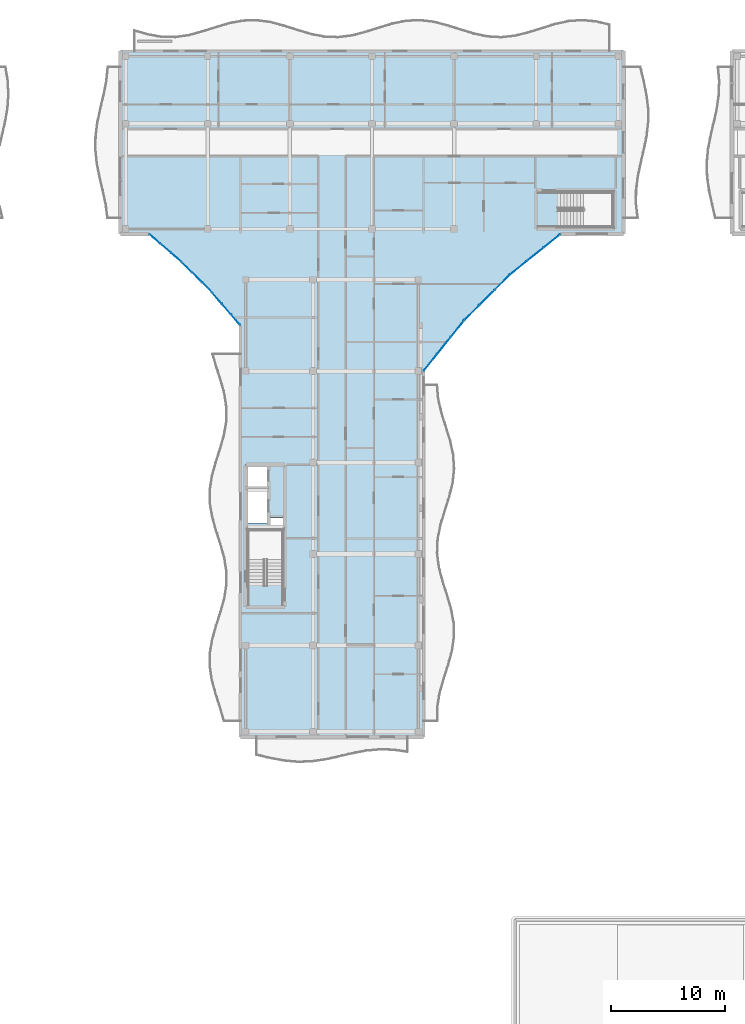
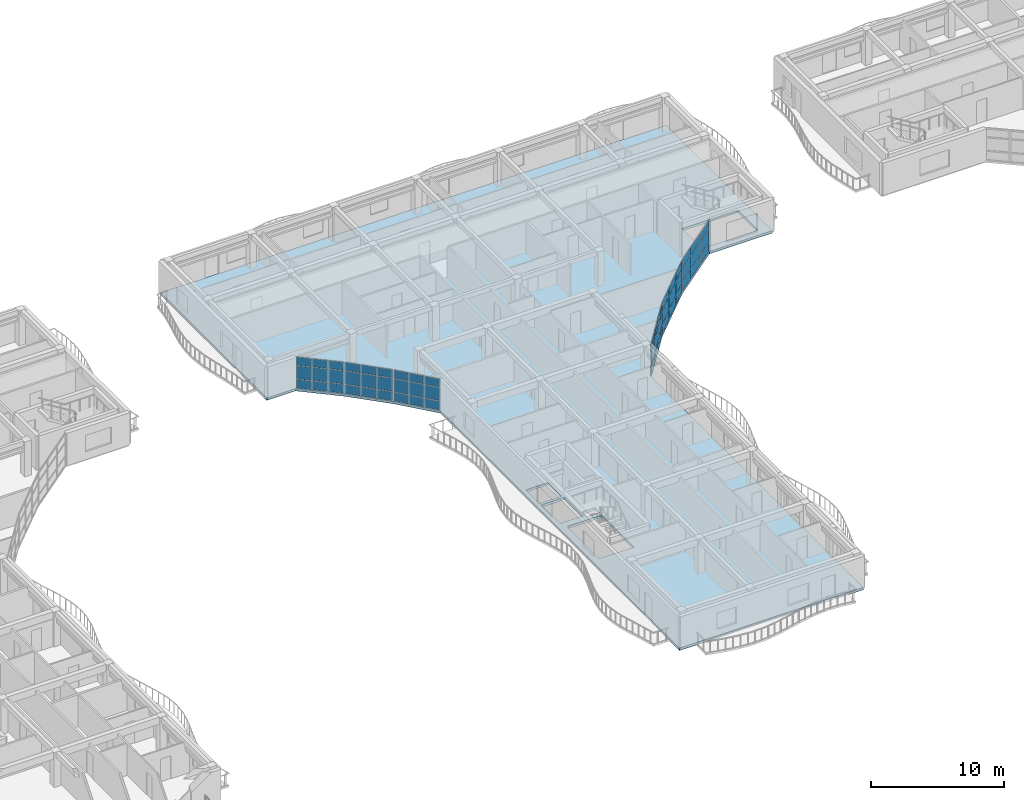
# One storey, part 33 of 79: 54 plates, 1 slab, 6 elements without a shape of their own.
"""IFC4 building model written with IfcOpenShell, lengths in metres."""

import ifcopenshell
import ifcopenshell.guid

model = None  # the IFC model being written
_history = None  # IfcOwnerHistory: only IFC2X3 demands one
_inside = {}  # id of a spatial element -> (the spatial element, [elements in it])
_under = {}  # id of a project, library or spatial element -> (it, [spatial elements below it])
_declared = {}  # id of a project -> (the project, [libraries it declares])
_typed = {}  # id of a type object -> (the type object, [elements of that type])
_made_of = {}  # id of a material, layer set ... -> (it, [elements and type objects made of it])


def new_model(schema):
    """Start an empty IFC model of exactly this schema.

    Asked for "IFC4X3", IfcOpenShell would pick the latest addendum, in which some entities
    have other attributes; the version numbers below select the first issue.
    IFC2X3 requires an IfcOwnerHistory on every rooted entity: one is made here for all.
    """
    global model, _history
    if schema == "IFC4X3":
        model = ifcopenshell.file(schema_version=(4, 3, 0, 0))
    else:
        model = ifcopenshell.file(schema=schema)
    _inside.clear()
    _under.clear()
    _declared.clear()
    _typed.clear()
    _made_of.clear()
    _history = None
    if model.schema == "IFC2X3":
        org = make("IfcOrganization", Name="unknown")
        user = make(
            "IfcPersonAndOrganization",
            ThePerson=make("IfcPerson", FamilyName="unknown"),
            TheOrganization=org,
        )
        app = make(
            "IfcApplication",
            ApplicationDeveloper=org,
            Version="unknown",
            ApplicationFullName="unknown",
            ApplicationIdentifier="unknown",
        )
        _history = make(
            "IfcOwnerHistory",
            OwningUser=user,
            OwningApplication=app,
            ChangeAction="ADDED",
            CreationDate=0,
        )
    return model


def make(cls, **values):
    """One entity of the class cls with the attributes given. An attribute that is None is left unset."""
    return model.create_entity(
        cls, **{name: value for name, value in values.items() if value is not None}
    )


def rooted(cls, **values):
    """An entity with a GlobalId (a new one), such as an element, a storey or a relation."""
    return make(cls, GlobalId=ifcopenshell.guid.new(), OwnerHistory=_history, **values)


def si_unit(unit_type, name, prefix=None):
    """IfcSIUnit, for example si_unit("LENGTHUNIT", "METRE", prefix="MILLI")."""
    return make("IfcSIUnit", UnitType=unit_type, Prefix=prefix, Name=name)


def assignment(units):
    """IfcUnitAssignment: the units of a project."""
    return None if units is None else make("IfcUnitAssignment", Units=units)


def point(xyz):
    """IfcCartesianPoint."""
    return None if xyz is None else make("IfcCartesianPoint", Coordinates=xyz)


def direction(xyz):
    """IfcDirection."""
    return None if xyz is None else make("IfcDirection", DirectionRatios=xyz)


def frame(location, z_axis=None, x_axis=None):
    """IfcAxis2Placement3D, a coordinate frame: its origin and axes. An axis left out is left unset."""
    return make(
        "IfcAxis2Placement3D",
        Location=point(location),
        Axis=direction(z_axis),
        RefDirection=direction(x_axis),
    )


def frame_2d(location, x_axis=None):
    """IfcAxis2Placement2D, a coordinate frame in the plane: its origin and x axis."""
    return make(
        "IfcAxis2Placement2D", Location=point(location), RefDirection=direction(x_axis)
    )


def origin():
    """The frame at (0, 0, 0) with its axes left unset."""
    return frame((0.0, 0.0, 0.0))


def origin_2d():
    """The frame at (0, 0) in the plane with its x axis left unset."""
    return frame_2d((0.0, 0.0))


def place(relative_to, where):
    """IfcLocalPlacement: puts the frame where relative to a parent placement (None: the world)."""
    return make(
        "IfcLocalPlacement", PlacementRelTo=relative_to, RelativePlacement=where
    )


def context(
    kind, dimensions, precision=None, world=None, true_north=None, identifier=None
):
    """IfcGeometricRepresentationContext, for example the 3D "Model" context."""
    return make(
        "IfcGeometricRepresentationContext",
        ContextIdentifier=identifier,
        ContextType=kind,
        CoordinateSpaceDimension=dimensions,
        Precision=precision,
        WorldCoordinateSystem=world,
        TrueNorth=true_north,
    )


def subcontext(parent, identifier, kind, view, scale=None):
    """IfcGeometricRepresentationSubContext, for example "Body" below "Model"."""
    return make(
        "IfcGeometricRepresentationSubContext",
        ContextIdentifier=identifier,
        ContextType=kind,
        ParentContext=parent,
        TargetScale=scale,
        TargetView=view,
    )


def project(units=None, contexts=None):
    """IfcProject with its units and contexts."""
    return rooted(
        "IfcProject",
        Name="project",
        RepresentationContexts=contexts,
        UnitsInContext=assignment(units),
    )


def spatial(cls, under=None, at=None, **own):
    """A site, building, storey or space (cls), placed at a placement, below another one or the project."""
    s = rooted(cls, ObjectPlacement=at, **own)
    if under is not None:
        _under.setdefault(under.id(), (under, []))[1].append(s)
    return s


def polyline(points):
    """IfcPolyline through the points."""
    return make("IfcPolyline", Points=[point(p) for p in points])


def profile(cls, at=None, kind="AREA", **sizes):
    """A parametric profile (cls). Its sizes go by their IFC names, for example OverallWidth=200.0."""
    return make(cls, ProfileType=kind, Position=at, **sizes)


def rectangle(**sizes):
    """IfcRectangleProfileDef."""
    return profile("IfcRectangleProfileDef", **sizes)


def outline(outer, holes=None, kind="AREA"):
    """IfcArbitraryClosedProfileDef: a profile drawn as a closed curve; with holes, ...WithVoids."""
    if holes is None:
        return make("IfcArbitraryClosedProfileDef", ProfileType=kind, OuterCurve=outer)
    return make(
        "IfcArbitraryProfileDefWithVoids",
        ProfileType=kind,
        OuterCurve=outer,
        InnerCurves=holes,
    )


def extrude(swept, where, along, depth):
    """IfcExtrudedAreaSolid: the profile swept, set in the frame where, extruded along a direction by depth."""
    return make(
        "IfcExtrudedAreaSolid",
        SweptArea=swept,
        Position=where,
        ExtrudedDirection=direction(along),
        Depth=depth,
    )


def shape(context_of_items, identifier, shape_type, items):
    """IfcShapeRepresentation: the items that make up one representation, for example the "Body"."""
    return make(
        "IfcShapeRepresentation",
        ContextOfItems=context_of_items,
        RepresentationIdentifier=identifier,
        RepresentationType=shape_type,
        Items=items,
    )


def material(Name=None, Category=None):
    """IfcMaterial."""
    return make("IfcMaterial", Name=Name, Category=Category)


def layer(
    of_material, thickness, ventilated=None, Name=None, Category=None, Priority=None
):
    """IfcMaterialLayer: one layer of a wall or slab, of a material (None: an air gap)."""
    return make(
        "IfcMaterialLayer",
        Material=of_material,
        LayerThickness=thickness,
        IsVentilated=ventilated,
        Name=Name,
        Category=Category,
        Priority=Priority,
    )


def layer_set(layers, Name=None):
    """IfcMaterialLayerSet."""
    return make("IfcMaterialLayerSet", MaterialLayers=layers, LayerSetName=Name)


def made_of(thing, what):
    """Note that an element or type object is made of a material, layer set ...; save() writes the relation."""
    if what is not None:
        _made_of.setdefault(what.id(), (what, []))[1].append(thing)
    return thing


def type_object(cls, material=None, **own):
    """A type object (cls), such as IfcWallType, which elements share."""
    return made_of(rooted(cls, **own), material)


def element(
    cls,
    number,
    at=None,
    inside=None,
    cuts=None,
    type_object=None,
    material=None,
    context=None,
    identifier="Body",
    shape_type=None,
    held_by="IfcProductDefinitionShape",
    body=None,
    shapes=None,
    **own,
):
    """One element of the class cls, such as IfcWall. Its Tag is "e" and its number.

    at: its placement. inside: the storey or other place that contains it. cuts: it is an
    opening in that element (IfcRelVoidsElement). A single representation is given by context,
    identifier, shape_type and body (its items); several are given by shapes. held_by: the class
    of the entity that holds the representations. save() writes the other relations.
    """
    e = rooted(cls, Tag="e%d" % number, ObjectPlacement=at, **own)
    if body is not None:
        shapes = [shape(context, identifier, shape_type, body)]
    if shapes is not None:
        e.Representation = make(held_by, Representations=shapes)
    if inside is not None:
        _inside.setdefault(inside.id(), (inside, []))[1].append(e)
    if cuts is not None:
        rooted(
            "IfcRelVoidsElement", RelatingBuildingElement=cuts, RelatedOpeningElement=e
        )
    if type_object is not None:
        _typed.setdefault(type_object.id(), (type_object, []))[1].append(e)
    return made_of(e, material)


def aggregate(whole, parts):
    """IfcRelAggregates: a whole, such as a stair, and the parts it consists of."""
    return rooted("IfcRelAggregates", RelatingObject=whole, RelatedObjects=parts)


def save(model, path):
    """Write the relations noted so far, then the file.

    IfcRelAggregates (storeys below a building ...), IfcRelContainedInSpatialStructure (elements
    in a storey), IfcRelDefinesByType, IfcRelAssociatesMaterial and IfcRelDeclares: one each for
    every whole, place, type object, material and project.
    """
    for whole, parts in _under.values():
        aggregate(whole, parts)
    for where, things in _inside.values():
        rooted(
            "IfcRelContainedInSpatialStructure",
            RelatedElements=things,
            RelatingStructure=where,
        )
    for kind, things in _typed.values():
        rooted("IfcRelDefinesByType", RelatedObjects=things, RelatingType=kind)
    for what, things in _made_of.values():
        rooted("IfcRelAssociatesMaterial", RelatedObjects=things, RelatingMaterial=what)
    for by, libraries in _declared.values():
        rooted("IfcRelDeclares", RelatingContext=by, RelatedDefinitions=libraries)
    model.write(path)


model = new_model("IFC4")

# Units and contexts
model_context = context("Model", 3, precision=1e-05, world=origin(), true_north=direction((0.0, 1.0)))
body_context = subcontext(model_context, "Body", "Model", "MODEL_VIEW")
ifc_project = project(units=[si_unit("LENGTHUNIT", "METRE"), si_unit("AREAUNIT", "SQUARE_METRE"), si_unit("VOLUMEUNIT", "CUBIC_METRE"), si_unit("PLANEANGLEUNIT", "RADIAN"), si_unit("MASSUNIT", "GRAM", prefix="KILO")], contexts=[model_context])

# Site, building, storey
site_placement = place(None, origin())
site = spatial("IfcSite", under=ifc_project, at=site_placement, CompositionType="ELEMENT")
building_placement = place(site_placement, origin())
building = spatial("IfcBuilding", under=site, at=building_placement, Name="Keldmere Railside Commons", CompositionType="ELEMENT")
storey_placement = place(building_placement, frame((0.0, 0.0, 10.56005859375)))
storey = spatial("IfcBuildingStorey", under=building, at=storey_placement, Name="L03", CompositionType="ELEMENT", Elevation=10.56005859375)

# Curtain wall, plates
ifc_material_1 = material(Name="Thermally Broken Aluminium", Category="aluminium")
ifc_layer_1 = layer(ifc_material_1, 0.159912109375, Name="Court Chord Wintergarden CW 4800x2850")
ifc_layer_set_1 = layer_set([ifc_layer_1], Name="Thermally Broken Aluminium")
curtain_wall_type_1 = type_object("IfcCurtainWallType", Name="Court Chord Wintergarden CW 4800x2850", PredefinedType="NOTDEFINED", material=ifc_layer_set_1)
curtain_wall_1_placement = place(storey_placement, origin())
curtain_wall_1 = element("IfcCurtainWall", 1, at=curtain_wall_1_placement, inside=storey, type_object=curtain_wall_type_1, Name="CW-12 CW-L03-103", PredefinedType="NOTDEFINED")
ifc_material_2 = material(Name="Low-E Insulated Double Glazing", Category="glass")
ifc_layer_2 = layer(ifc_material_2, 0.033935546875, Name="Acoustic Laminated Vision Panel 34")
ifc_layer_set_2 = layer_set([ifc_layer_2], Name="Low-E Insulated Double Glazing")
plate_type_1 = type_object("IfcPlateType", Name="Acoustic Laminated Vision Panel 34", PredefinedType="CURTAIN_PANEL", material=ifc_layer_set_2)
plate_1_placement = place(storey_placement, frame((122.951416015625, 91.678955078125, 0.06494140625), z_axis=(0.0, 0.0, 1.0), x_axis=(-0.625768080915, -0.780009172323, 0.0)))
plate_1 = element("IfcPlate", 2, at=plate_1_placement, type_object=plate_type_1, Name="CW-12 panel 1.1", PredefinedType="CURTAIN_PANEL", context=body_context, shape_type="SweptSolid", body=[
    extrude(rectangle(XDim=1.795654296875, YDim=0.033935546875, at=origin_2d()), origin(), (0.0, 0.0, 1.0), 0.802490234375),
])
plate_2_placement = place(storey_placement, frame((122.951416015625, 91.678955078125, 0.932373046875), z_axis=(0.0, 0.0, 1.0), x_axis=(-0.625768080915, -0.780009172323, 0.0)))
plate_2 = element("IfcPlate", 3, at=plate_2_placement, type_object=plate_type_1, Name="CW-12 panel 1.2", PredefinedType="CURTAIN_PANEL", context=body_context, shape_type="SweptSolid", body=[
    extrude(rectangle(XDim=1.795654296875, YDim=0.033935546875, at=origin_2d()), origin(), (0.0, 0.0, 1.0), 1.18505859375),
])
plate_3_placement = place(storey_placement, frame((122.951416015625, 91.678955078125, 2.182373046875), z_axis=(0.0, 0.0, 1.0), x_axis=(-0.625768080915, -0.780009172323, 0.0)))
plate_3 = element("IfcPlate", 4, at=plate_3_placement, type_object=plate_type_1, Name="CW-12 panel 1.3", PredefinedType="CURTAIN_PANEL", context=body_context, shape_type="SweptSolid", body=[
    extrude(rectangle(XDim=1.795654296875, YDim=0.033935546875, at=origin_2d()), origin(), (0.0, 0.0, 1.0), 0.732421875),
])
plate_4_placement = place(storey_placement, frame((121.777099609375, 90.215087890625, 0.06494140625), z_axis=(0.0, 0.0, 1.0), x_axis=(-0.625768080915, -0.780009172323, 0.0)))
plate_4 = element("IfcPlate", 5, at=plate_4_placement, type_object=plate_type_1, Name="CW-12 panel 2.1", PredefinedType="CURTAIN_PANEL", context=body_context, shape_type="SweptSolid", body=[
    extrude(rectangle(XDim=1.828125, YDim=0.033935546875, at=origin_2d()), origin(), (0.0, 0.0, 1.0), 0.802490234375),
])
plate_5_placement = place(storey_placement, frame((121.777099609375, 90.215087890625, 0.932373046875), z_axis=(0.0, 0.0, 1.0), x_axis=(-0.625768080915, -0.780009172323, 0.0)))
plate_5 = element("IfcPlate", 6, at=plate_5_placement, type_object=plate_type_1, Name="CW-12 panel 2.2", PredefinedType="CURTAIN_PANEL", context=body_context, shape_type="SweptSolid", body=[
    extrude(rectangle(XDim=1.828125, YDim=0.033935546875, at=origin_2d()), origin(), (0.0, 0.0, 1.0), 1.18505859375),
])
plate_6_placement = place(storey_placement, frame((121.777099609375, 90.215087890625, 2.182373046875), z_axis=(0.0, 0.0, 1.0), x_axis=(-0.625768080915, -0.780009172323, 0.0)))
plate_6 = element("IfcPlate", 7, at=plate_6_placement, type_object=plate_type_1, Name="CW-12 panel 2.3", PredefinedType="CURTAIN_PANEL", context=body_context, shape_type="SweptSolid", body=[
    extrude(rectangle(XDim=1.828125, YDim=0.033935546875, at=origin_2d()), origin(), (0.0, 0.0, 1.0), 0.732421875),
])
plate_7_placement = place(storey_placement, frame((120.6025390625, 88.7509765625, 0.06494140625), z_axis=(0.0, 0.0, 1.0), x_axis=(-0.625768080915, -0.780009172323, 0.0)))
plate_7 = element("IfcPlate", 8, at=plate_7_placement, type_object=plate_type_1, Name="CW-12 panel 3.1", PredefinedType="CURTAIN_PANEL", context=body_context, shape_type="SweptSolid", body=[
    extrude(rectangle(XDim=1.795654296875, YDim=0.033935546875, at=origin_2d()), origin(), (0.0, 0.0, 1.0), 0.802490234375),
])
plate_8_placement = place(storey_placement, frame((120.6025390625, 88.7509765625, 0.932373046875), z_axis=(0.0, 0.0, 1.0), x_axis=(-0.625768080915, -0.780009172323, 0.0)))
plate_8 = element("IfcPlate", 9, at=plate_8_placement, type_object=plate_type_1, Name="CW-12 panel 3.2", PredefinedType="CURTAIN_PANEL", context=body_context, shape_type="SweptSolid", body=[
    extrude(rectangle(XDim=1.795654296875, YDim=0.033935546875, at=origin_2d()), origin(), (0.0, 0.0, 1.0), 1.18505859375),
])
plate_9_placement = place(storey_placement, frame((120.6025390625, 88.7509765625, 2.182373046875), z_axis=(0.0, 0.0, 1.0), x_axis=(-0.625768080915, -0.780009172323, 0.0)))
plate_9 = element("IfcPlate", 10, at=plate_9_placement, type_object=plate_type_1, Name="CW-12 panel 3.3", PredefinedType="CURTAIN_PANEL", context=body_context, shape_type="SweptSolid", body=[
    extrude(rectangle(XDim=1.795654296875, YDim=0.033935546875, at=origin_2d()), origin(), (0.0, 0.0, 1.0), 0.732421875),
])
aggregate(curtain_wall_1, [plate_1, plate_2, plate_3, plate_4, plate_5, plate_6, plate_7, plate_8, plate_9])

curtain_wall_2_placement = place(storey_placement, origin())
curtain_wall_2 = element("IfcCurtainWall", 11, at=curtain_wall_2_placement, inside=storey, type_object=curtain_wall_type_1, Name="CW-12 CW-L03-106", PredefinedType="NOTDEFINED")
plate_10_placement = place(storey_placement, frame((98.369384765625, 97.952392578125, 0.06494140625), z_axis=(0.0, 0.0, 1.0), x_axis=(-0.756596767584, 0.653881741053, 0.0)))
plate_10 = element("IfcPlate", 12, at=plate_10_placement, type_object=plate_type_1, Name="CW-12 panel 1.1", PredefinedType="CURTAIN_PANEL", context=body_context, shape_type="SweptSolid", body=[
    extrude(rectangle(XDim=1.16162109375, YDim=0.033935546875, at=origin_2d()), origin(), (0.0, 0.0, 1.0), 0.802490234375),
])
plate_11_placement = place(storey_placement, frame((98.369384765625, 97.952392578125, 0.932373046875), z_axis=(0.0, 0.0, 1.0), x_axis=(-0.756596767584, 0.653881741053, 0.0)))
plate_11 = element("IfcPlate", 13, at=plate_11_placement, type_object=plate_type_1, Name="CW-12 panel 1.2", PredefinedType="CURTAIN_PANEL", context=body_context, shape_type="SweptSolid", body=[
    extrude(rectangle(XDim=1.16162109375, YDim=0.033935546875, at=origin_2d()), origin(), (0.0, 0.0, 1.0), 1.18505859375),
])
plate_12_placement = place(storey_placement, frame((98.369384765625, 97.952392578125, 2.182373046875), z_axis=(0.0, 0.0, 1.0), x_axis=(-0.756596767584, 0.653881741053, 0.0)))
plate_12 = element("IfcPlate", 14, at=plate_12_placement, type_object=plate_type_1, Name="CW-12 panel 1.3", PredefinedType="CURTAIN_PANEL", context=body_context, shape_type="SweptSolid", body=[
    extrude(rectangle(XDim=1.16162109375, YDim=0.033935546875, at=origin_2d()), origin(), (0.0, 0.0, 1.0), 0.732421875),
])
plate_13_placement = place(storey_placement, frame((97.428955078125, 98.764892578125, 0.06494140625), z_axis=(0.0, 0.0, 1.0), x_axis=(-0.756596767584, 0.653881741053, 0.0)))
plate_13 = element("IfcPlate", 15, at=plate_13_placement, type_object=plate_type_1, Name="CW-12 panel 2.1", PredefinedType="CURTAIN_PANEL", context=body_context, shape_type="SweptSolid", body=[
    extrude(rectangle(XDim=1.194091796875, YDim=0.033935546875, at=origin_2d()), origin(), (0.0, 0.0, 1.0), 0.802490234375),
])
plate_14_placement = place(storey_placement, frame((97.428955078125, 98.764892578125, 0.932373046875), z_axis=(0.0, 0.0, 1.0), x_axis=(-0.756596767584, 0.653881741053, 0.0)))
plate_14 = element("IfcPlate", 16, at=plate_14_placement, type_object=plate_type_1, Name="CW-12 panel 2.2", PredefinedType="CURTAIN_PANEL", context=body_context, shape_type="SweptSolid", body=[
    extrude(rectangle(XDim=1.194091796875, YDim=0.033935546875, at=origin_2d()), origin(), (0.0, 0.0, 1.0), 1.18505859375),
])
plate_15_placement = place(storey_placement, frame((97.428955078125, 98.764892578125, 2.182373046875), z_axis=(0.0, 0.0, 1.0), x_axis=(-0.756596767584, 0.653881741053, 0.0)))
plate_15 = element("IfcPlate", 17, at=plate_15_placement, type_object=plate_type_1, Name="CW-12 panel 2.3", PredefinedType="CURTAIN_PANEL", context=body_context, shape_type="SweptSolid", body=[
    extrude(rectangle(XDim=1.194091796875, YDim=0.033935546875, at=origin_2d()), origin(), (0.0, 0.0, 1.0), 0.732421875),
])
plate_16_placement = place(storey_placement, frame((96.488525390625, 99.57763671875, 0.06494140625), z_axis=(0.0, 0.0, 1.0), x_axis=(-0.756596767584, 0.653881741053, 0.0)))
plate_16 = element("IfcPlate", 18, at=plate_16_placement, type_object=plate_type_1, Name="CW-12 panel 3.1", PredefinedType="CURTAIN_PANEL", context=body_context, shape_type="SweptSolid", body=[
    extrude(rectangle(XDim=1.16162109375, YDim=0.033935546875, at=origin_2d()), origin(), (0.0, 0.0, 1.0), 0.802490234375),
])
plate_17_placement = place(storey_placement, frame((96.488525390625, 99.57763671875, 0.932373046875), z_axis=(0.0, 0.0, 1.0), x_axis=(-0.756596767584, 0.653881741053, 0.0)))
plate_17 = element("IfcPlate", 19, at=plate_17_placement, type_object=plate_type_1, Name="CW-12 panel 3.2", PredefinedType="CURTAIN_PANEL", context=body_context, shape_type="SweptSolid", body=[
    extrude(rectangle(XDim=1.16162109375, YDim=0.033935546875, at=origin_2d()), origin(), (0.0, 0.0, 1.0), 1.18505859375),
])
plate_18_placement = place(storey_placement, frame((96.488525390625, 99.57763671875, 2.182373046875), z_axis=(0.0, 0.0, 1.0), x_axis=(-0.756596767584, 0.653881741053, 0.0)))
plate_18 = element("IfcPlate", 20, at=plate_18_placement, type_object=plate_type_1, Name="CW-12 panel 3.3", PredefinedType="CURTAIN_PANEL", context=body_context, shape_type="SweptSolid", body=[
    extrude(rectangle(XDim=1.16162109375, YDim=0.033935546875, at=origin_2d()), origin(), (0.0, 0.0, 1.0), 0.732421875),
])
aggregate(curtain_wall_2, [plate_10, plate_11, plate_12, plate_13, plate_14, plate_15, plate_16, plate_17, plate_18])

ifc_layer_3 = layer(ifc_material_1, 0.159912109375, Name="Court Chord Wintergarden CW 5400x2850")
ifc_layer_set_3 = layer_set([ifc_layer_3], Name="Thermally Broken Aluminium")
curtain_wall_type_2 = type_object("IfcCurtainWallType", Name="Court Chord Wintergarden CW 5400x2850", PredefinedType="NOTDEFINED", material=ifc_layer_set_3)
curtain_wall_3_placement = place(storey_placement, origin())
curtain_wall_3 = element("IfcCurtainWall", 21, at=curtain_wall_3_placement, inside=storey, type_object=curtain_wall_type_2, Name="CW-13 CW-L03-104", PredefinedType="NOTDEFINED")
ifc_layer_4 = layer(ifc_material_2, 0.031982421875, Name="Clerestory Solar-Control Vision Panel 32")
ifc_layer_set_4 = layer_set([ifc_layer_4], Name="Low-E Insulated Double Glazing")
plate_type_2 = type_object("IfcPlateType", Name="Clerestory Solar-Control Vision Panel 32", PredefinedType="CURTAIN_PANEL", material=ifc_layer_set_4)
plate_19_placement = place(storey_placement, frame((126.88916015625, 95.76513671875, 0.06494140625), z_axis=(0.0, 0.0, 1.0), x_axis=(-0.707106781187, -0.707106781187, 0.0)))
plate_19 = element("IfcPlate", 22, at=plate_19_placement, type_object=plate_type_2, Name="CW-13 panel 1.1", PredefinedType="CURTAIN_PANEL", context=body_context, shape_type="SweptSolid", body=[
    extrude(rectangle(XDim=1.795654296875, YDim=0.031982421875, at=origin_2d()), origin(), (0.0, 0.0, 1.0), 0.802490234375),
])
plate_20_placement = place(storey_placement, frame((126.88916015625, 95.76513671875, 0.932373046875), z_axis=(0.0, 0.0, 1.0), x_axis=(-0.707106781187, -0.707106781187, 0.0)))
plate_20 = element("IfcPlate", 23, at=plate_20_placement, type_object=plate_type_2, Name="CW-13 panel 1.2", PredefinedType="CURTAIN_PANEL", context=body_context, shape_type="SweptSolid", body=[
    extrude(rectangle(XDim=1.795654296875, YDim=0.031982421875, at=origin_2d()), origin(), (0.0, 0.0, 1.0), 1.18505859375),
])
plate_21_placement = place(storey_placement, frame((126.88916015625, 95.76513671875, 2.182373046875), z_axis=(0.0, 0.0, 1.0), x_axis=(-0.707106781187, -0.707106781187, 0.0)))
plate_21 = element("IfcPlate", 24, at=plate_21_placement, type_object=plate_type_2, Name="CW-13 panel 1.3", PredefinedType="CURTAIN_PANEL", context=body_context, shape_type="SweptSolid", body=[
    extrude(rectangle(XDim=1.795654296875, YDim=0.031982421875, at=origin_2d()), origin(), (0.0, 0.0, 1.0), 0.732421875),
])
plate_22_placement = place(storey_placement, frame((125.56201171875, 94.43798828125, 0.06494140625), z_axis=(0.0, 0.0, 1.0), x_axis=(-0.707106781187, -0.707106781187, 0.0)))
plate_22 = element("IfcPlate", 25, at=plate_22_placement, type_object=plate_type_2, Name="CW-13 panel 2.1", PredefinedType="CURTAIN_PANEL", context=body_context, shape_type="SweptSolid", body=[
    extrude(rectangle(XDim=1.828125, YDim=0.031982421875, at=origin_2d()), origin(), (0.0, 0.0, 1.0), 0.802490234375),
])
plate_23_placement = place(storey_placement, frame((125.56201171875, 94.43798828125, 0.932373046875), z_axis=(0.0, 0.0, 1.0), x_axis=(-0.707106781187, -0.707106781187, 0.0)))
plate_23 = element("IfcPlate", 26, at=plate_23_placement, type_object=plate_type_2, Name="CW-13 panel 2.2", PredefinedType="CURTAIN_PANEL", context=body_context, shape_type="SweptSolid", body=[
    extrude(rectangle(XDim=1.828125, YDim=0.031982421875, at=origin_2d()), origin(), (0.0, 0.0, 1.0), 1.18505859375),
])
plate_24_placement = place(storey_placement, frame((125.56201171875, 94.43798828125, 2.182373046875), z_axis=(0.0, 0.0, 1.0), x_axis=(-0.707106781187, -0.707106781187, 0.0)))
plate_24 = element("IfcPlate", 27, at=plate_24_placement, type_object=plate_type_2, Name="CW-13 panel 2.3", PredefinedType="CURTAIN_PANEL", context=body_context, shape_type="SweptSolid", body=[
    extrude(rectangle(XDim=1.828125, YDim=0.031982421875, at=origin_2d()), origin(), (0.0, 0.0, 1.0), 0.732421875),
])
plate_25_placement = place(storey_placement, frame((124.23486328125, 93.11083984375, 0.06494140625), z_axis=(0.0, 0.0, 1.0), x_axis=(-0.707106781187, -0.707106781187, 0.0)))
plate_25 = element("IfcPlate", 28, at=plate_25_placement, type_object=plate_type_2, Name="CW-13 panel 3.1", PredefinedType="CURTAIN_PANEL", context=body_context, shape_type="SweptSolid", body=[
    extrude(rectangle(XDim=1.795654296875, YDim=0.031982421875, at=origin_2d()), origin(), (0.0, 0.0, 1.0), 0.802490234375),
])
plate_26_placement = place(storey_placement, frame((124.23486328125, 93.11083984375, 0.932373046875), z_axis=(0.0, 0.0, 1.0), x_axis=(-0.707106781187, -0.707106781187, 0.0)))
plate_26 = element("IfcPlate", 29, at=plate_26_placement, type_object=plate_type_2, Name="CW-13 panel 3.2", PredefinedType="CURTAIN_PANEL", context=body_context, shape_type="SweptSolid", body=[
    extrude(rectangle(XDim=1.795654296875, YDim=0.031982421875, at=origin_2d()), origin(), (0.0, 0.0, 1.0), 1.18505859375),
])
plate_27_placement = place(storey_placement, frame((124.23486328125, 93.11083984375, 2.182373046875), z_axis=(0.0, 0.0, 1.0), x_axis=(-0.707106781187, -0.707106781187, 0.0)))
plate_27 = element("IfcPlate", 30, at=plate_27_placement, type_object=plate_type_2, Name="CW-13 panel 3.3", PredefinedType="CURTAIN_PANEL", context=body_context, shape_type="SweptSolid", body=[
    extrude(rectangle(XDim=1.795654296875, YDim=0.031982421875, at=origin_2d()), origin(), (0.0, 0.0, 1.0), 0.732421875),
])
aggregate(curtain_wall_3, [plate_19, plate_20, plate_21, plate_22, plate_23, plate_24, plate_25, plate_26, plate_27])

curtain_wall_4_placement = place(storey_placement, origin())
curtain_wall_4 = element("IfcCurtainWall", 31, at=curtain_wall_4_placement, inside=storey, type_object=curtain_wall_type_2, Name="CW-13 CW-L03-107", PredefinedType="NOTDEFINED")
plate_28_placement = place(storey_placement, frame((101.0732421875, 95.31494140625, 0.06494140625), z_axis=(0.0, 0.0, 1.0), x_axis=(-0.707106781187, 0.707106781187, 0.0)))
plate_28 = element("IfcPlate", 32, at=plate_28_placement, type_object=plate_type_2, Name="CW-13 panel 1.1", PredefinedType="CURTAIN_PANEL", context=body_context, shape_type="SweptSolid", body=[
    extrude(rectangle(XDim=1.162109375, YDim=0.031982421875, at=origin_2d()), origin(), (0.0, 0.0, 1.0), 0.802490234375),
])
plate_29_placement = place(storey_placement, frame((101.0732421875, 95.31494140625, 0.932373046875), z_axis=(0.0, 0.0, 1.0), x_axis=(-0.707106781187, 0.707106781187, 0.0)))
plate_29 = element("IfcPlate", 33, at=plate_29_placement, type_object=plate_type_2, Name="CW-13 panel 1.2", PredefinedType="CURTAIN_PANEL", context=body_context, shape_type="SweptSolid", body=[
    extrude(rectangle(XDim=1.162109375, YDim=0.031982421875, at=origin_2d()), origin(), (0.0, 0.0, 1.0), 1.18505859375),
])
plate_30_placement = place(storey_placement, frame((101.0732421875, 95.31494140625, 2.182373046875), z_axis=(0.0, 0.0, 1.0), x_axis=(-0.707106781187, 0.707106781187, 0.0)))
plate_30 = element("IfcPlate", 34, at=plate_30_placement, type_object=plate_type_2, Name="CW-13 panel 1.3", PredefinedType="CURTAIN_PANEL", context=body_context, shape_type="SweptSolid", body=[
    extrude(rectangle(XDim=1.162109375, YDim=0.031982421875, at=origin_2d()), origin(), (0.0, 0.0, 1.0), 0.732421875),
])
plate_31_placement = place(storey_placement, frame((100.194091796875, 96.194091796875, 0.06494140625), z_axis=(0.0, 0.0, 1.0), x_axis=(-0.707106781187, 0.707106781187, 0.0)))
plate_31 = element("IfcPlate", 35, at=plate_31_placement, type_object=plate_type_2, Name="CW-13 panel 2.1", PredefinedType="CURTAIN_PANEL", context=body_context, shape_type="SweptSolid", body=[
    extrude(rectangle(XDim=1.194580078125, YDim=0.031982421875, at=origin_2d()), origin(), (0.0, 0.0, 1.0), 0.802490234375),
])
plate_32_placement = place(storey_placement, frame((100.194091796875, 96.194091796875, 0.932373046875), z_axis=(0.0, 0.0, 1.0), x_axis=(-0.707106781187, 0.707106781187, 0.0)))
plate_32 = element("IfcPlate", 36, at=plate_32_placement, type_object=plate_type_2, Name="CW-13 panel 2.2", PredefinedType="CURTAIN_PANEL", context=body_context, shape_type="SweptSolid", body=[
    extrude(rectangle(XDim=1.194580078125, YDim=0.031982421875, at=origin_2d()), origin(), (0.0, 0.0, 1.0), 1.18505859375),
])
plate_33_placement = place(storey_placement, frame((100.194091796875, 96.194091796875, 2.182373046875), z_axis=(0.0, 0.0, 1.0), x_axis=(-0.707106781187, 0.707106781187, 0.0)))
plate_33 = element("IfcPlate", 37, at=plate_33_placement, type_object=plate_type_2, Name="CW-13 panel 2.3", PredefinedType="CURTAIN_PANEL", context=body_context, shape_type="SweptSolid", body=[
    extrude(rectangle(XDim=1.194580078125, YDim=0.031982421875, at=origin_2d()), origin(), (0.0, 0.0, 1.0), 0.732421875),
])
plate_34_placement = place(storey_placement, frame((99.31494140625, 97.0732421875, 0.06494140625), z_axis=(0.0, 0.0, 1.0), x_axis=(-0.707106781187, 0.707106781187, 0.0)))
plate_34 = element("IfcPlate", 38, at=plate_34_placement, type_object=plate_type_2, Name="CW-13 panel 3.1", PredefinedType="CURTAIN_PANEL", context=body_context, shape_type="SweptSolid", body=[
    extrude(rectangle(XDim=1.162109375, YDim=0.031982421875, at=origin_2d()), origin(), (0.0, 0.0, 1.0), 0.802490234375),
])
plate_35_placement = place(storey_placement, frame((99.31494140625, 97.0732421875, 0.932373046875), z_axis=(0.0, 0.0, 1.0), x_axis=(-0.707106781187, 0.707106781187, 0.0)))
plate_35 = element("IfcPlate", 39, at=plate_35_placement, type_object=plate_type_2, Name="CW-13 panel 3.2", PredefinedType="CURTAIN_PANEL", context=body_context, shape_type="SweptSolid", body=[
    extrude(rectangle(XDim=1.162109375, YDim=0.031982421875, at=origin_2d()), origin(), (0.0, 0.0, 1.0), 1.18505859375),
])
plate_36_placement = place(storey_placement, frame((99.31494140625, 97.0732421875, 2.182373046875), z_axis=(0.0, 0.0, 1.0), x_axis=(-0.707106781187, 0.707106781187, 0.0)))
plate_36 = element("IfcPlate", 40, at=plate_36_placement, type_object=plate_type_2, Name="CW-13 panel 3.3", PredefinedType="CURTAIN_PANEL", context=body_context, shape_type="SweptSolid", body=[
    extrude(rectangle(XDim=1.162109375, YDim=0.031982421875, at=origin_2d()), origin(), (0.0, 0.0, 1.0), 0.732421875),
])
aggregate(curtain_wall_4, [plate_28, plate_29, plate_30, plate_31, plate_32, plate_33, plate_34, plate_35, plate_36])

curtain_wall_5_placement = place(storey_placement, origin())
curtain_wall_5 = element("IfcCurtainWall", 41, at=curtain_wall_5_placement, inside=storey, type_object=curtain_wall_type_1, Name="CW-12 CW-L03-105", PredefinedType="NOTDEFINED")
ifc_layer_5 = layer(ifc_material_2, 0.028076171875, Name="Low-E Vision Glazing Panel 28")
ifc_layer_set_5 = layer_set([ifc_layer_5], Name="Low-E Insulated Double Glazing")
plate_type_3 = type_object("IfcPlateType", Name="Low-E Vision Glazing Panel 28", PredefinedType="CURTAIN_PANEL", material=ifc_layer_set_5)
plate_37_placement = place(storey_placement, frame((131.2490234375, 99.3974609375, 0.06494140625), z_axis=(0.0, 0.0, 1.0), x_axis=(-0.780009172323, -0.625768080915, 0.0)))
plate_37 = element("IfcPlate", 42, at=plate_37_placement, type_object=plate_type_3, Name="CW-12 panel 1.1", PredefinedType="CURTAIN_PANEL", context=body_context, shape_type="SweptSolid", body=[
    extrude(rectangle(XDim=1.795654296875, YDim=0.028076171875, at=origin_2d()), origin(), (0.0, 0.0, 1.0), 0.802490234375),
])
plate_38_placement = place(storey_placement, frame((131.2490234375, 99.3974609375, 0.932373046875), z_axis=(0.0, 0.0, 1.0), x_axis=(-0.780009172323, -0.625768080915, 0.0)))
plate_38 = element("IfcPlate", 43, at=plate_38_placement, type_object=plate_type_3, Name="CW-12 panel 1.2", PredefinedType="CURTAIN_PANEL", context=body_context, shape_type="SweptSolid", body=[
    extrude(rectangle(XDim=1.795654296875, YDim=0.028076171875, at=origin_2d()), origin(), (0.0, 0.0, 1.0), 1.18505859375),
])
plate_39_placement = place(storey_placement, frame((131.2490234375, 99.3974609375, 2.182373046875), z_axis=(0.0, 0.0, 1.0), x_axis=(-0.780009172323, -0.625768080915, 0.0)))
plate_39 = element("IfcPlate", 44, at=plate_39_placement, type_object=plate_type_3, Name="CW-12 panel 1.3", PredefinedType="CURTAIN_PANEL", context=body_context, shape_type="SweptSolid", body=[
    extrude(rectangle(XDim=1.795654296875, YDim=0.028076171875, at=origin_2d()), origin(), (0.0, 0.0, 1.0), 0.732421875),
])
plate_40_placement = place(storey_placement, frame((129.784912109375, 98.222900390625, 0.06494140625), z_axis=(0.0, 0.0, 1.0), x_axis=(-0.780009172323, -0.625768080915, 0.0)))
plate_40 = element("IfcPlate", 45, at=plate_40_placement, type_object=plate_type_3, Name="CW-12 panel 2.1", PredefinedType="CURTAIN_PANEL", context=body_context, shape_type="SweptSolid", body=[
    extrude(rectangle(XDim=1.828125, YDim=0.028076171875, at=origin_2d()), origin(), (0.0, 0.0, 1.0), 0.802490234375),
])
plate_41_placement = place(storey_placement, frame((129.784912109375, 98.222900390625, 0.932373046875), z_axis=(0.0, 0.0, 1.0), x_axis=(-0.780009172323, -0.625768080915, 0.0)))
plate_41 = element("IfcPlate", 46, at=plate_41_placement, type_object=plate_type_3, Name="CW-12 panel 2.2", PredefinedType="CURTAIN_PANEL", context=body_context, shape_type="SweptSolid", body=[
    extrude(rectangle(XDim=1.828125, YDim=0.028076171875, at=origin_2d()), origin(), (0.0, 0.0, 1.0), 1.18505859375),
])
plate_42_placement = place(storey_placement, frame((129.784912109375, 98.222900390625, 2.182373046875), z_axis=(0.0, 0.0, 1.0), x_axis=(-0.780009172323, -0.625768080915, 0.0)))
plate_42 = element("IfcPlate", 47, at=plate_42_placement, type_object=plate_type_3, Name="CW-12 panel 2.3", PredefinedType="CURTAIN_PANEL", context=body_context, shape_type="SweptSolid", body=[
    extrude(rectangle(XDim=1.828125, YDim=0.028076171875, at=origin_2d()), origin(), (0.0, 0.0, 1.0), 0.732421875),
])
plate_43_placement = place(storey_placement, frame((128.321044921875, 97.048583984375, 0.06494140625), z_axis=(0.0, 0.0, 1.0), x_axis=(-0.780009172323, -0.625768080915, 0.0)))
plate_43 = element("IfcPlate", 48, at=plate_43_placement, type_object=plate_type_3, Name="CW-12 panel 3.1", PredefinedType="CURTAIN_PANEL", context=body_context, shape_type="SweptSolid", body=[
    extrude(rectangle(XDim=1.795654296875, YDim=0.028076171875, at=origin_2d()), origin(), (0.0, 0.0, 1.0), 0.802490234375),
])
plate_44_placement = place(storey_placement, frame((128.321044921875, 97.048583984375, 0.932373046875), z_axis=(0.0, 0.0, 1.0), x_axis=(-0.780009172323, -0.625768080915, 0.0)))
plate_44 = element("IfcPlate", 49, at=plate_44_placement, type_object=plate_type_3, Name="CW-12 panel 3.2", PredefinedType="CURTAIN_PANEL", context=body_context, shape_type="SweptSolid", body=[
    extrude(rectangle(XDim=1.795654296875, YDim=0.028076171875, at=origin_2d()), origin(), (0.0, 0.0, 1.0), 1.18505859375),
])
plate_45_placement = place(storey_placement, frame((128.321044921875, 97.048583984375, 2.182373046875), z_axis=(0.0, 0.0, 1.0), x_axis=(-0.780009172323, -0.625768080915, 0.0)))
plate_45 = element("IfcPlate", 50, at=plate_45_placement, type_object=plate_type_3, Name="CW-12 panel 3.3", PredefinedType="CURTAIN_PANEL", context=body_context, shape_type="SweptSolid", body=[
    extrude(rectangle(XDim=1.795654296875, YDim=0.028076171875, at=origin_2d()), origin(), (0.0, 0.0, 1.0), 0.732421875),
])
aggregate(curtain_wall_5, [plate_37, plate_38, plate_39, plate_40, plate_41, plate_42, plate_43, plate_44, plate_45])

curtain_wall_6_placement = place(storey_placement, origin())
curtain_wall_6 = element("IfcCurtainWall", 51, at=curtain_wall_6_placement, inside=storey, type_object=curtain_wall_type_1, Name="CW-12 CW-L03-108", PredefinedType="NOTDEFINED")
plate_46_placement = place(storey_placement, frame((103.57763671875, 92.488525390625, 0.06494140625), z_axis=(0.0, 0.0, 1.0), x_axis=(-0.653881741053, 0.756596767584, 0.0)))
plate_46 = element("IfcPlate", 52, at=plate_46_placement, type_object=plate_type_3, Name="CW-12 panel 1.1", PredefinedType="CURTAIN_PANEL", context=body_context, shape_type="SweptSolid", body=[
    extrude(rectangle(XDim=1.16162109375, YDim=0.028076171875, at=origin_2d()), origin(), (0.0, 0.0, 1.0), 0.802490234375),
])
plate_47_placement = place(storey_placement, frame((103.57763671875, 92.488525390625, 0.932373046875), z_axis=(0.0, 0.0, 1.0), x_axis=(-0.653881741053, 0.756596767584, 0.0)))
plate_47 = element("IfcPlate", 53, at=plate_47_placement, type_object=plate_type_3, Name="CW-12 panel 1.2", PredefinedType="CURTAIN_PANEL", context=body_context, shape_type="SweptSolid", body=[
    extrude(rectangle(XDim=1.16162109375, YDim=0.028076171875, at=origin_2d()), origin(), (0.0, 0.0, 1.0), 1.18505859375),
])
plate_48_placement = place(storey_placement, frame((103.57763671875, 92.488525390625, 2.182373046875), z_axis=(0.0, 0.0, 1.0), x_axis=(-0.653881741053, 0.756596767584, 0.0)))
plate_48 = element("IfcPlate", 54, at=plate_48_placement, type_object=plate_type_3, Name="CW-12 panel 1.3", PredefinedType="CURTAIN_PANEL", context=body_context, shape_type="SweptSolid", body=[
    extrude(rectangle(XDim=1.16162109375, YDim=0.028076171875, at=origin_2d()), origin(), (0.0, 0.0, 1.0), 0.732421875),
])
plate_49_placement = place(storey_placement, frame((102.764892578125, 93.428955078125, 0.06494140625), z_axis=(0.0, 0.0, 1.0), x_axis=(-0.653881741053, 0.756596767584, 0.0)))
plate_49 = element("IfcPlate", 55, at=plate_49_placement, type_object=plate_type_3, Name="CW-12 panel 2.1", PredefinedType="CURTAIN_PANEL", context=body_context, shape_type="SweptSolid", body=[
    extrude(rectangle(XDim=1.194091796875, YDim=0.028076171875, at=origin_2d()), origin(), (0.0, 0.0, 1.0), 0.802490234375),
])
plate_50_placement = place(storey_placement, frame((102.764892578125, 93.428955078125, 0.932373046875), z_axis=(0.0, 0.0, 1.0), x_axis=(-0.653881741053, 0.756596767584, 0.0)))
plate_50 = element("IfcPlate", 56, at=plate_50_placement, type_object=plate_type_3, Name="CW-12 panel 2.2", PredefinedType="CURTAIN_PANEL", context=body_context, shape_type="SweptSolid", body=[
    extrude(rectangle(XDim=1.194091796875, YDim=0.028076171875, at=origin_2d()), origin(), (0.0, 0.0, 1.0), 1.18505859375),
])
plate_51_placement = place(storey_placement, frame((102.764892578125, 93.428955078125, 2.182373046875), z_axis=(0.0, 0.0, 1.0), x_axis=(-0.653881741053, 0.756596767584, 0.0)))
plate_51 = element("IfcPlate", 57, at=plate_51_placement, type_object=plate_type_3, Name="CW-12 panel 2.3", PredefinedType="CURTAIN_PANEL", context=body_context, shape_type="SweptSolid", body=[
    extrude(rectangle(XDim=1.194091796875, YDim=0.028076171875, at=origin_2d()), origin(), (0.0, 0.0, 1.0), 0.732421875),
])
plate_52_placement = place(storey_placement, frame((101.952392578125, 94.369384765625, 0.06494140625), z_axis=(0.0, 0.0, 1.0), x_axis=(-0.653881741053, 0.756596767584, 0.0)))
plate_52 = element("IfcPlate", 58, at=plate_52_placement, type_object=plate_type_3, Name="CW-12 panel 3.1", PredefinedType="CURTAIN_PANEL", context=body_context, shape_type="SweptSolid", body=[
    extrude(rectangle(XDim=1.16162109375, YDim=0.028076171875, at=origin_2d()), origin(), (0.0, 0.0, 1.0), 0.802490234375),
])
plate_53_placement = place(storey_placement, frame((101.952392578125, 94.369384765625, 0.932373046875), z_axis=(0.0, 0.0, 1.0), x_axis=(-0.653881741053, 0.756596767584, 0.0)))
plate_53 = element("IfcPlate", 59, at=plate_53_placement, type_object=plate_type_3, Name="CW-12 panel 3.2", PredefinedType="CURTAIN_PANEL", context=body_context, shape_type="SweptSolid", body=[
    extrude(rectangle(XDim=1.16162109375, YDim=0.028076171875, at=origin_2d()), origin(), (0.0, 0.0, 1.0), 1.18505859375),
])
plate_54_placement = place(storey_placement, frame((101.952392578125, 94.369384765625, 2.182373046875), z_axis=(0.0, 0.0, 1.0), x_axis=(-0.653881741053, 0.756596767584, 0.0)))
plate_54 = element("IfcPlate", 60, at=plate_54_placement, type_object=plate_type_3, Name="CW-12 panel 3.3", PredefinedType="CURTAIN_PANEL", context=body_context, shape_type="SweptSolid", body=[
    extrude(rectangle(XDim=1.16162109375, YDim=0.028076171875, at=origin_2d()), origin(), (0.0, 0.0, 1.0), 0.732421875),
])
aggregate(curtain_wall_6, [plate_46, plate_47, plate_48, plate_49, plate_50, plate_51, plate_52, plate_53, plate_54])

# Slab
ifc_material_3 = material(Name="Concrete H-30 (C30/37)", Category="concrete")
ifc_layer_6 = layer(ifc_material_3, 0.219970703125, Name="Residential Flat Slab 220")
ifc_layer_set_6 = layer_set([ifc_layer_6], Name="Concrete H-30 (C30/37)")
slab_type = type_object("IfcSlabType", Name="Residential Flat Slab 220", PredefinedType="FLOOR", material=ifc_layer_set_6)
slab_placement = place(storey_placement, frame((0.0, 0.0, -0.219970703125)))
element("IfcSlab", 61, at=slab_placement, inside=storey, type_object=slab_type, Name="FS-2 BLKB-L03-038", PredefinedType="FLOOR", context=body_context, shape_type="SweptSolid", body=[
    extrude(outline(polyline([(104.0, 56.0), (120.0, 56.0), (120.0, 88.0), (123.553955078125, 92.429931640625), (127.570068359375, 96.446044921875), (132.0, 100.0), (137.5, 100.0), (137.5, 116.0), (93.5, 116.0), (93.5, 100.0), (96.0, 100.0), (98.85791015625, 97.530029296875), (101.530029296875, 94.85791015625), (104.0, 92.0), (104.0, 56.0)]), holes=[polyline([(106.300048828125, 77.75), (104.39990234375, 77.75), (104.39990234375, 79.800048828125), (106.300048828125, 79.800048828125), (106.300048828125, 77.75)]), polyline([(107.675048828125, 69.22509765625), (104.675048828125, 69.22509765625), (104.675048828125, 74.074951171875), (107.675048828125, 74.074951171875), (107.675048828125, 69.22509765625)]), polyline([(106.60009765625, 74.419921875), (106.60009765625, 75.159912109375), (107.699951171875, 75.159912109375), (107.699951171875, 74.419921875), (106.60009765625, 74.419921875)]), polyline([(104.39990234375, 74.699951171875), (104.39990234375, 77.5), (106.39990234375, 77.5), (106.39990234375, 74.699951171875), (104.39990234375, 74.699951171875)]), polyline([(131.72509765625, 103.625), (136.574951171875, 103.625), (136.574951171875, 100.625), (131.72509765625, 100.625), (131.72509765625, 103.625)])]), origin(), (0.0, 0.0, 1.0), 0.219970703125),
])

save(model, "model.ifc")
